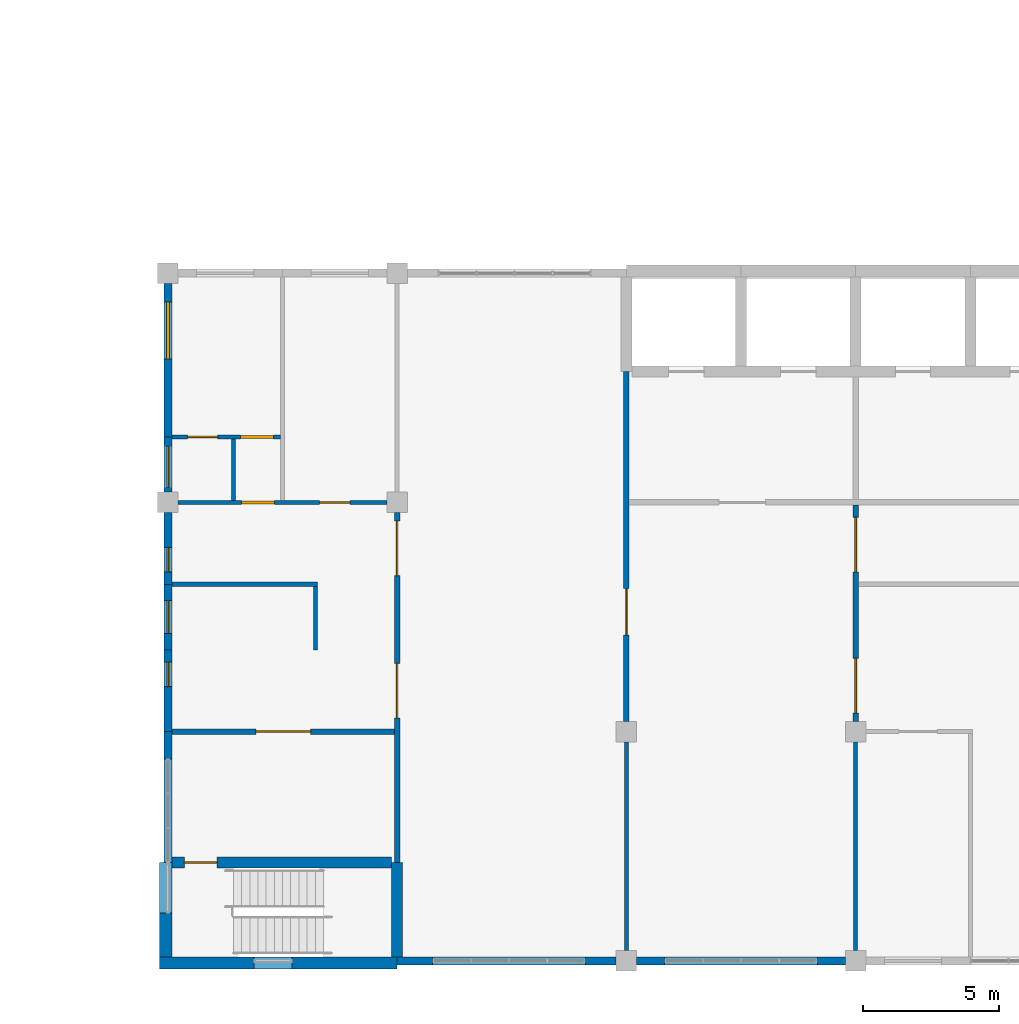
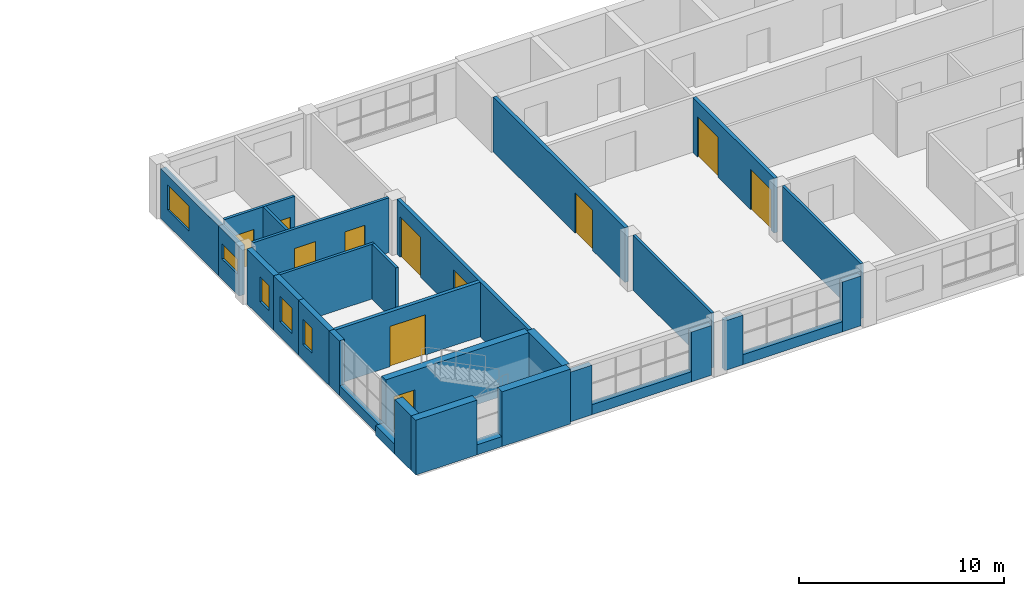
# One storey, part 29 of 45: 31 walls, 11 doors, 5 windows, 16 openings.
"""IFC4 building model written with IfcOpenShell, lengths in metres."""

from ifc_helpers import new_model, si_unit, direction, frame, frame_2d, origin, place, context, subcontext, project, spatial, rectangle, extrude, material, layer, layer_set, type_object, element, fill, save


model = new_model("IFC4")

# Units and contexts
model_context = context("Model", 3, precision=1e-05, world=origin(), true_north=direction((0.0, 1.0)))
body_context = subcontext(model_context, "Body", "Model", "MODEL_VIEW")
ifc_project = project(units=[si_unit("LENGTHUNIT", "METRE"), si_unit("AREAUNIT", "SQUARE_METRE"), si_unit("VOLUMEUNIT", "CUBIC_METRE"), si_unit("PLANEANGLEUNIT", "RADIAN"), si_unit("MASSUNIT", "GRAM", prefix="KILO")], contexts=[model_context])

# Site, building, storey
site_placement = place(None, origin())
site = spatial("IfcSite", under=ifc_project, at=site_placement, CompositionType="ELEMENT")
building_placement = place(site_placement, origin())
building = spatial("IfcBuilding", under=site, at=building_placement, Name="Yavir Park General Hospital", CompositionType="ELEMENT")
storey_placement = place(building_placement, frame((0.0, 0.0, 22.5)))
storey = spatial("IfcBuildingStorey", under=building, at=storey_placement, Name="L05", CompositionType="ELEMENT", Elevation=22.5)

# Wall, opening, door
ifc_material_1 = material(Name="Double gypsum board fire partition on steel studs", Category="steel")
ifc_layer_1 = layer(ifc_material_1, 0.199951171875)
ifc_layer_set_1 = layer_set([ifc_layer_1], Name="Double gypsum board fire partition on steel studs")
wall_type_1 = type_object("IfcWallType", Name="Fire-rated partition 200, EI 60", PredefinedType="PARTITIONING", material=ifc_layer_set_1)
wall_1_placement = place(storey_placement, frame((100.949951171875, 8.39990234375, 0.0), z_axis=(0.0, 0.0, 1.0), x_axis=(1.0, 0.0, 0.0)))
wall_1 = element("IfcWall", 1, at=wall_1_placement, inside=storey, type_object=wall_type_1, Name="FP20 L05-015", PredefinedType="PARTITIONING", context=body_context, shape_type="SweptSolid", body=[
    extrude(rectangle(XDim=8.150146484375, YDim=0.199951171875, at=frame_2d((4.0751953125, 0.0))), origin(), (0.0, 0.0, 1.0), 3.260009765625),
])
opening_1_placement = place(wall_1_placement, frame((3.074951171875, 0.0, 0.0)))
opening_1 = element("IfcOpeningElement", 2, at=opening_1_placement, cuts=wall_1, Name="Opening L05.D019", PredefinedType="OPENING", context=body_context, shape_type="SweptSolid", body=[
    extrude(rectangle(XDim=2.0, YDim=2.39990234375, at=frame_2d((1.0, 1.199951171875))), frame((0.0, 0.10986328125, 0.0), z_axis=(0.0, -1.0, 0.0), x_axis=(1.0, 0.0, 0.0)), (0.0, 0.0, 1.0), 0.219970703125),
])
ifc_material_2 = material(Name="Steel frame, fire-resisting leaves with vision panels", Category="steel")
door_type_1 = type_object("IfcDoorType", Name="Double fire door with vision panels 2000 x 2400, EI 60", OperationType="DOUBLE_DOOR_SINGLE_SWING", PredefinedType="DOOR", material=ifc_material_2)
door_1_placement = place(opening_1_placement, origin())
door_1 = element("IfcDoor", 3, at=door_1_placement, inside=storey, type_object=door_type_1, Name="L05.D019", OperationType="SINGLE_SWING_LEFT", OverallHeight=2.39990234375, OverallWidth=2.0, PredefinedType="DOOR", context=body_context, shape_type="SweptSolid", body=[
    extrude(rectangle(XDim=2.0, YDim=2.39990234375, at=frame_2d((1.0, 1.199951171875))), frame((0.0, 0.030029296875, 0.0), z_axis=(0.0, -1.0, 0.0), x_axis=(1.0, 0.0, 0.0)), (0.0, 0.0, 1.0), 0.06005859375),
])
fill(opening_1, door_1)

# Wall, openings, doors
wall_2_placement = place(storey_placement, frame((109.199951171875, 3.60009765625, 0.0), z_axis=(0.0, 0.0, 1.0), x_axis=(0.0, 1.0, 0.0)))
wall_2 = element("IfcWall", 4, at=wall_2_placement, inside=storey, type_object=wall_type_1, Name="FP20 L05-227", PredefinedType="PARTITIONING", context=body_context, shape_type="SweptSolid", body=[
    extrude(rectangle(XDim=12.824951171875, YDim=0.199951171875, at=frame_2d((6.41259765625, 0.0))), origin(), (0.0, 0.0, 1.0), 3.260009765625),
])
opening_2_placement = place(wall_2_placement, frame((5.300048828125, 0.0, 0.0)))
opening_2 = element("IfcOpeningElement", 5, at=opening_2_placement, cuts=wall_2, Name="Opening L05.D145", PredefinedType="OPENING", context=body_context, shape_type="SweptSolid", body=[
    extrude(rectangle(XDim=2.0, YDim=2.39990234375, at=frame_2d((1.0, 1.199951171875))), frame((0.0, 0.10986328125, 0.0), z_axis=(0.0, -1.0, 0.0), x_axis=(1.0, 0.0, 0.0)), (0.0, 0.0, 1.0), 0.219970703125),
])
opening_3_placement = place(wall_2_placement, frame((10.512451171875, 0.0, 0.0)))
opening_3 = element("IfcOpeningElement", 6, at=opening_3_placement, cuts=wall_2, Name="Opening L05.D146", PredefinedType="OPENING", context=body_context, shape_type="SweptSolid", body=[
    extrude(rectangle(XDim=2.0, YDim=2.39990234375, at=frame_2d((1.0, 1.199951171875))), frame((0.0, 0.10986328125, 0.0), z_axis=(0.0, -1.0, 0.0), x_axis=(1.0, 0.0, 0.0)), (0.0, 0.0, 1.0), 0.219970703125),
])
door_2_placement = place(opening_2_placement, origin())
door_2 = element("IfcDoor", 7, at=door_2_placement, inside=storey, type_object=door_type_1, Name="L05.D145", OperationType="SINGLE_SWING_RIGHT", OverallHeight=2.39990234375, OverallWidth=2.0, PredefinedType="DOOR", context=body_context, shape_type="SweptSolid", body=[
    extrude(rectangle(XDim=2.0, YDim=2.39990234375, at=frame_2d((1.0, 1.199951171875))), frame((0.0, 0.030029296875, 0.0), z_axis=(0.0, -1.0, 0.0), x_axis=(1.0, 0.0, 0.0)), (0.0, 0.0, 1.0), 0.06005859375),
])
fill(opening_2, door_2)
door_3_placement = place(opening_3_placement, origin())
door_3 = element("IfcDoor", 8, at=door_3_placement, inside=storey, type_object=door_type_1, Name="L05.D146", OperationType="SINGLE_SWING_RIGHT", OverallHeight=2.39990234375, OverallWidth=2.0, PredefinedType="DOOR", context=body_context, shape_type="SweptSolid", body=[
    extrude(rectangle(XDim=2.0, YDim=2.39990234375, at=frame_2d((1.0, 1.199951171875))), frame((0.0, 0.030029296875, 0.0), z_axis=(0.0, -1.0, 0.0), x_axis=(1.0, 0.0, 0.0)), (0.0, 0.0, 1.0), 0.06005859375),
])
fill(opening_3, door_3)

# Wall, opening, door
wall_3_placement = place(storey_placement, frame((117.60009765625, 8.77490234375, 0.0), z_axis=(0.0, 0.0, 1.0), x_axis=(0.0, 1.0, 0.0)))
wall_3 = element("IfcWall", 9, at=wall_3_placement, inside=storey, type_object=wall_type_1, Name="FP20 L05-230", PredefinedType="PARTITIONING", context=body_context, shape_type="SweptSolid", body=[
    extrude(rectangle(XDim=12.8251953125, YDim=0.199951171875, at=frame_2d((6.41259765625, 0.0))), origin(), (0.0, 0.0, 1.0), 3.260009765625),
])
opening_4_placement = place(wall_3_placement, frame((3.16259765625, 0.0, 0.0)))
opening_4 = element("IfcOpeningElement", 10, at=opening_4_placement, cuts=wall_3, Name="Opening L05.D147", PredefinedType="OPENING", context=body_context, shape_type="SweptSolid", body=[
    extrude(rectangle(XDim=1.699951171875, YDim=2.39990234375, at=frame_2d((0.85009765625, 1.199951171875))), frame((0.0, 0.10986328125, 0.0), z_axis=(0.0, -1.0, 0.0), x_axis=(1.0, 0.0, 0.0)), (0.0, 0.0, 1.0), 0.219970703125),
])
ifc_material_3 = material(Name="Steel frame, fire-resisting timber leaves", Category="steel")
door_type_2 = type_object("IfcDoorType", Name="Double fire door 1700 x 2400, EI 60", OperationType="DOUBLE_DOOR_SINGLE_SWING", PredefinedType="DOOR", material=ifc_material_3)
door_4_placement = place(opening_4_placement, origin())
door_4 = element("IfcDoor", 11, at=door_4_placement, inside=storey, type_object=door_type_2, Name="L05.D147", OperationType="SINGLE_SWING_RIGHT", OverallHeight=2.39990234375, OverallWidth=1.699951171875, PredefinedType="DOOR", context=body_context, shape_type="SweptSolid", body=[
    extrude(rectangle(XDim=1.699951171875, YDim=2.39990234375, at=frame_2d((0.85009765625, 1.199951171875))), frame((0.0, 0.02490234375, 0.0), z_axis=(0.0, -1.0, 0.0), x_axis=(1.0, 0.0, 0.0)), (0.0, 0.0, 1.0), 0.050048828125),
])
fill(opening_4, door_4)

# Wall, openings, doors
wall_4_placement = place(storey_placement, frame((126.0, 8.77490234375, 0.0), z_axis=(0.0, 0.0, 1.0), x_axis=(0.0, 1.0, 0.0)))
wall_4 = element("IfcWall", 12, at=wall_4_placement, inside=storey, type_object=wall_type_1, Name="FP20 L05-234", PredefinedType="PARTITIONING", context=body_context, shape_type="SweptSolid", body=[
    extrude(rectangle(XDim=7.925048828125, YDim=0.199951171875, at=frame_2d((3.96240234375, 0.0))), origin(), (0.0, 0.0, 1.0), 3.260009765625),
])
opening_5_placement = place(wall_4_placement, frame((0.3125, 0.0, 0.0)))
opening_5 = element("IfcOpeningElement", 13, at=opening_5_placement, cuts=wall_4, Name="Opening L05.D148", PredefinedType="OPENING", context=body_context, shape_type="SweptSolid", body=[
    extrude(rectangle(XDim=2.0, YDim=2.39990234375, at=frame_2d((1.0, 1.199951171875))), frame((0.0, 0.10986328125, 0.0), z_axis=(0.0, -1.0, 0.0), x_axis=(1.0, 0.0, 0.0)), (0.0, 0.0, 1.0), 0.219970703125),
])
opening_6_placement = place(wall_4_placement, frame((5.47509765625, 0.0, 0.0)))
opening_6 = element("IfcOpeningElement", 14, at=opening_6_placement, cuts=wall_4, Name="Opening L05.D149", PredefinedType="OPENING", context=body_context, shape_type="SweptSolid", body=[
    extrude(rectangle(XDim=2.0, YDim=2.39990234375, at=frame_2d((1.0, 1.199951171875))), frame((0.0, 0.10986328125, 0.0), z_axis=(0.0, -1.0, 0.0), x_axis=(1.0, 0.0, 0.0)), (0.0, 0.0, 1.0), 0.219970703125),
])
door_5_placement = place(opening_5_placement, origin())
door_5 = element("IfcDoor", 15, at=door_5_placement, inside=storey, type_object=door_type_1, Name="L05.D148", OperationType="SINGLE_SWING_LEFT", OverallHeight=2.39990234375, OverallWidth=2.0, PredefinedType="DOOR", context=body_context, shape_type="SweptSolid", body=[
    extrude(rectangle(XDim=2.0, YDim=2.39990234375, at=frame_2d((1.0, 1.199951171875))), frame((0.0, 0.030029296875, 0.0), z_axis=(0.0, -1.0, 0.0), x_axis=(1.0, 0.0, 0.0)), (0.0, 0.0, 1.0), 0.06005859375),
])
fill(opening_5, door_5)
door_6_placement = place(opening_6_placement, origin())
door_6 = element("IfcDoor", 16, at=door_6_placement, inside=storey, type_object=door_type_1, Name="L05.D149", OperationType="SINGLE_SWING_LEFT", OverallHeight=2.39990234375, OverallWidth=2.0, PredefinedType="DOOR", context=body_context, shape_type="SweptSolid", body=[
    extrude(rectangle(XDim=2.0, YDim=2.39990234375, at=frame_2d((1.0, 1.199951171875))), frame((0.0, 0.030029296875, 0.0), z_axis=(0.0, -1.0, 0.0), x_axis=(1.0, 0.0, 0.0)), (0.0, 0.0, 1.0), 0.06005859375),
])
fill(opening_6, door_6)

# Wall
ifc_material_4 = material(Name="Gypsum board partition on steel studs", Category="steel")
ifc_layer_2 = layer(ifc_material_4, 0.14990234375)
ifc_layer_set_2 = layer_set([ifc_layer_2], Name="Gypsum board partition on steel studs")
wall_type_2 = type_object("IfcWallType", Name="Gypsum board partition 150", PredefinedType="PARTITIONING", material=ifc_layer_set_2)
wall_5_placement = place(storey_placement, frame((100.949951171875, 13.800048828125, 0.0), z_axis=(0.0, 0.0, 1.0), x_axis=(1.0, 0.0, 0.0)))
element("IfcWall", 17, at=wall_5_placement, inside=storey, type_object=wall_type_2, Name="P15 L05-028", PredefinedType="PARTITIONING", context=body_context, shape_type="SweptSolid", body=[
    extrude(rectangle(XDim=5.324951171875, YDim=0.14990234375, at=frame_2d((2.66259765625, 0.0))), origin(), (0.0, 0.0, 1.0), 3.260009765625),
])

# Wall, openings, doors
wall_6_placement = place(storey_placement, frame((101.175048828125, 16.800048828125, 0.0), z_axis=(0.0, 0.0, 1.0), x_axis=(1.0, 0.0, 0.0)))
wall_6 = element("IfcWall", 18, at=wall_6_placement, inside=storey, type_object=wall_type_2, Name="P15 L05-036", PredefinedType="PARTITIONING", context=body_context, shape_type="SweptSolid", body=[
    extrude(rectangle(XDim=7.64990234375, YDim=0.14990234375, at=frame_2d((3.824951171875, 0.0))), origin(), (0.0, 0.0, 1.0), 3.260009765625),
])
opening_7_placement = place(wall_6_placement, frame((2.324951171875, 0.0, 0.0)))
opening_7 = element("IfcOpeningElement", 19, at=opening_7_placement, cuts=wall_6, Name="Opening L05.D038", PredefinedType="OPENING", context=body_context, shape_type="SweptSolid", body=[
    extrude(rectangle(XDim=1.199951171875, YDim=2.10009765625, at=frame_2d((0.60009765625, 1.050048828125))), frame((0.0, 0.0849609375, 0.0), z_axis=(0.0, -1.0, 0.0), x_axis=(1.0, 0.0, 0.0)), (0.0, 0.0, 1.0), 0.169921875),
])
opening_8_placement = place(wall_6_placement, frame((5.1875, 0.0, 0.0)))
opening_8 = element("IfcOpeningElement", 20, at=opening_8_placement, cuts=wall_6, Name="Opening L05.D039", PredefinedType="OPENING", context=body_context, shape_type="SweptSolid", body=[
    extrude(rectangle(XDim=1.10009765625, YDim=2.10009765625, at=frame_2d((0.550048828125, 1.050048828125))), frame((0.0, 0.0849609375, 0.0), z_axis=(0.0, -1.0, 0.0), x_axis=(1.0, 0.0, 0.0)), (0.0, 0.0, 1.0), 0.169921875),
])
ifc_material_5 = material(Name="Sealed steel door leaf, compression seals", Category="steel")
door_type_3 = type_object("IfcDoorType", Name="Isolation airlock door 1200 x 2100", OperationType="SINGLE_SWING_LEFT", PredefinedType="DOOR", material=ifc_material_5)
door_7_placement = place(opening_7_placement, origin())
door_7 = element("IfcDoor", 21, at=door_7_placement, inside=storey, type_object=door_type_3, Name="L05.D038", OperationType="SINGLE_SWING_RIGHT", OverallHeight=2.10009765625, OverallWidth=1.199951171875, PredefinedType="DOOR", context=body_context, shape_type="SweptSolid", body=[
    extrude(rectangle(XDim=1.199951171875, YDim=2.10009765625, at=frame_2d((0.60009765625, 1.050048828125))), frame((0.0, 0.050048828125, 0.0), z_axis=(0.0, -1.0, 0.0), x_axis=(1.0, 0.0, 0.0)), (0.0, 0.0, 1.0), 0.10009765625),
])
fill(opening_7, door_7)
ifc_material_6 = material(Name="Hollow metal frame, solid-core timber leaf", Category="wood")
door_type_4 = type_object("IfcDoorType", Name="Single swing door 1100 x 2100", OperationType="SINGLE_SWING_LEFT", PredefinedType="DOOR", material=ifc_material_6)
door_8_placement = place(opening_8_placement, origin())
door_8 = element("IfcDoor", 22, at=door_8_placement, inside=storey, type_object=door_type_4, Name="L05.D039", OperationType="SINGLE_SWING_RIGHT", OverallHeight=2.10009765625, OverallWidth=1.10009765625, PredefinedType="DOOR", context=body_context, shape_type="SweptSolid", body=[
    extrude(rectangle(XDim=1.10009765625, YDim=2.10009765625, at=frame_2d((0.550048828125, 1.050048828125))), frame((0.0, 0.02490234375, 0.0), z_axis=(0.0, -1.0, 0.0), x_axis=(1.0, 0.0, 0.0)), (0.0, 0.0, 1.0), 0.050048828125),
])
fill(opening_8, door_8)

wall_7_placement = place(storey_placement, frame((100.949951171875, 19.199951171875, 0.0), z_axis=(0.0, 0.0, 1.0), x_axis=(1.0, 0.0, 0.0)))
wall_7 = element("IfcWall", 23, at=wall_7_placement, inside=storey, type_object=wall_type_2, Name="P15 L05-044", PredefinedType="PARTITIONING", context=body_context, shape_type="SweptSolid", body=[
    extrude(rectangle(XDim=3.97509765625, YDim=0.14990234375, at=frame_2d((1.987548828125, 0.0))), origin(), (0.0, 0.0, 1.0), 3.260009765625),
])
opening_9_placement = place(wall_7_placement, frame((0.574951171875, 0.0, 0.0)))
opening_9 = element("IfcOpeningElement", 24, at=opening_9_placement, cuts=wall_7, Name="Opening L05.D048", PredefinedType="OPENING", context=body_context, shape_type="SweptSolid", body=[
    extrude(rectangle(XDim=1.10009765625, YDim=2.10009765625, at=frame_2d((0.550048828125, 1.050048828125))), frame((0.0, 0.0849609375, 0.0), z_axis=(0.0, -1.0, 0.0), x_axis=(1.0, 0.0, 0.0)), (0.0, 0.0, 1.0), 0.169921875),
])
opening_10_placement = place(wall_7_placement, frame((2.512451171875, 0.0, 0.0)))
opening_10 = element("IfcOpeningElement", 25, at=opening_10_placement, cuts=wall_7, Name="Opening L05.D049", PredefinedType="OPENING", context=body_context, shape_type="SweptSolid", body=[
    extrude(rectangle(XDim=1.199951171875, YDim=2.10009765625, at=frame_2d((0.60009765625, 1.050048828125))), frame((0.0, 0.0849609375, 0.0), z_axis=(0.0, -1.0, 0.0), x_axis=(1.0, 0.0, 0.0)), (0.0, 0.0, 1.0), 0.169921875),
])
door_9_placement = place(opening_10_placement, origin())
door_9 = element("IfcDoor", 26, at=door_9_placement, inside=storey, type_object=door_type_3, Name="L05.D049", OperationType="SINGLE_SWING_LEFT", OverallHeight=2.10009765625, OverallWidth=1.199951171875, PredefinedType="DOOR", context=body_context, shape_type="SweptSolid", body=[
    extrude(rectangle(XDim=1.199951171875, YDim=2.10009765625, at=frame_2d((0.60009765625, 1.050048828125))), frame((0.0, 0.050048828125, 0.0), z_axis=(0.0, -1.0, 0.0), x_axis=(1.0, 0.0, 0.0)), (0.0, 0.0, 1.0), 0.10009765625),
])
fill(opening_10, door_9)
door_10_placement = place(opening_9_placement, origin())
door_10 = element("IfcDoor", 27, at=door_10_placement, inside=storey, type_object=door_type_4, Name="L05.D048", OperationType="SINGLE_SWING_RIGHT", OverallHeight=2.10009765625, OverallWidth=1.10009765625, PredefinedType="DOOR", context=body_context, shape_type="SweptSolid", body=[
    extrude(rectangle(XDim=1.10009765625, YDim=2.10009765625, at=frame_2d((0.550048828125, 1.050048828125))), frame((0.0, 0.02490234375, 0.0), z_axis=(0.0, -1.0, 0.0), x_axis=(1.0, 0.0, 0.0)), (0.0, 0.0, 1.0), 0.050048828125),
])
fill(opening_9, door_10)

# Walls
wall_8_placement = place(storey_placement, frame((103.199951171875, 16.875, 0.0), z_axis=(0.0, 0.0, 1.0), x_axis=(0.0, 1.0, 0.0)))
element("IfcWall", 28, at=wall_8_placement, inside=storey, type_object=wall_type_2, Name="P15 L05-223", PredefinedType="PARTITIONING", context=body_context, shape_type="SweptSolid", body=[
    extrude(rectangle(XDim=2.25, YDim=0.14990234375, at=frame_2d((1.125, 0.0))), origin(), (0.0, 0.0, 1.0), 3.260009765625),
])
wall_9_placement = place(storey_placement, frame((106.199951171875, 11.39990234375, 0.0), z_axis=(0.0, 0.0, 1.0), x_axis=(0.0, 1.0, 0.0)))
element("IfcWall", 29, at=wall_9_placement, inside=storey, type_object=wall_type_2, Name="P15 L05-225", PredefinedType="PARTITIONING", context=body_context, shape_type="SweptSolid", body=[
    extrude(rectangle(XDim=2.3251953125, YDim=0.14990234375, at=frame_2d((1.16259765625, 0.0))), origin(), (0.0, 0.0, 1.0), 3.260009765625),
])
for number, where, z_axis, x_axis, name in (
    (30, (117.60009765625, 0.375, 0.0), (0.0, 0.0, 1.0), (0.0, 1.0, 0.0), "P15 L05-229"),
    (31, (126.0, 0.375, 0.0), (0.0, 0.0, 1.0), (0.0, 1.0, 0.0), "P15 L05-233"),
):
    element("IfcWall", number, at=place(storey_placement, frame(where, z_axis=z_axis, x_axis=x_axis)), inside=storey, type_object=wall_type_2, Name=name, PredefinedType="PARTITIONING", context=body_context, shape_type="SweptSolid", body=[
        extrude(rectangle(XDim=7.64990234375, YDim=0.14990234375, at=frame_2d((3.824951171875, 0.0))), origin(), (0.0, 0.0, 1.0), 3.260009765625),
    ])
ifc_material_7 = material(Name="Autoclaved aerated block, mineral wool and ochre mineral render")
ifc_layer_3 = layer(ifc_material_7, 0.300048828125)
ifc_layer_set_3 = layer_set([ifc_layer_3], Name="Autoclaved aerated block, mineral wool and ochre mineral render")
wall_type_3 = type_object("IfcWallType", Name="Ochre render ward wall 300, E 30", PredefinedType="SOLIDWALL", material=ifc_layer_set_3)
wall_10_placement = place(storey_placement, frame((109.199951171875, 0.0, 0.0), z_axis=(0.0, 0.0, 1.0), x_axis=(1.0, 0.0, 0.0)))
element("IfcWall", 32, at=wall_10_placement, inside=storey, type_object=wall_type_3, Name="XW7 L05-016", PredefinedType="SOLIDWALL", context=body_context, shape_type="SweptSolid", body=[
    extrude(rectangle(XDim=1.300048828125, YDim=0.300048828125, at=frame_2d((0.64990234375, 0.0))), origin(), (0.0, 0.0, 1.0), 2.9599609375),
])
wall_11_placement = place(storey_placement, frame((116.10009765625, 0.0, 0.0), z_axis=(0.0, 0.0, 1.0), x_axis=(1.0, 0.0, 0.0)))
element("IfcWall", 33, at=wall_11_placement, inside=storey, type_object=wall_type_3, Name="XW7 L05-017", PredefinedType="SOLIDWALL", context=body_context, shape_type="SweptSolid", body=[
    extrude(rectangle(XDim=1.125, YDim=0.300048828125, at=frame_2d((0.5625, 0.0))), origin(), (0.0, 0.0, 1.0), 2.9599609375),
])
wall_12_placement = place(storey_placement, frame((110.5, 0.0, 0.0), z_axis=(0.0, 0.0, 1.0), x_axis=(1.0, 0.0, 0.0)))
element("IfcWall", 34, at=wall_12_placement, inside=storey, type_object=wall_type_3, Name="XW7 L05-018", PredefinedType="SOLIDWALL", context=body_context, shape_type="SweptSolid", body=[
    extrude(rectangle(XDim=5.60009765625, YDim=0.300048828125, at=frame_2d((2.800048828125, 0.0))), origin(), (0.0, 0.0, 1.0), 0.60009765625),
])
for number, where, z_axis, x_axis, name in (
    (35, (117.97509765625, 0.0, 0.0), (0.0, 0.0, 1.0), (1.0, 0.0, 0.0), "XW7 L05-019"),
    (36, (124.60009765625, 0.0, 0.0), (0.0, 0.0, 1.0), (1.0, 0.0, 0.0), "XW7 L05-020"),
):
    element("IfcWall", number, at=place(storey_placement, frame(where, z_axis=z_axis, x_axis=x_axis)), inside=storey, type_object=wall_type_3, Name=name, PredefinedType="SOLIDWALL", context=body_context, shape_type="SweptSolid", body=[
        extrude(rectangle(XDim=1.02490234375, YDim=0.300048828125, at=frame_2d((0.512451171875, 0.0))), origin(), (0.0, 0.0, 1.0), 2.9599609375),
    ])
wall_13_placement = place(storey_placement, frame((119.0, 0.0, 0.0), z_axis=(0.0, 0.0, 1.0), x_axis=(1.0, 0.0, 0.0)))
element("IfcWall", 37, at=wall_13_placement, inside=storey, type_object=wall_type_3, Name="XW7 L05-021", PredefinedType="SOLIDWALL", context=body_context, shape_type="SweptSolid", body=[
    extrude(rectangle(XDim=5.60009765625, YDim=0.300048828125, at=frame_2d((2.800048828125, 0.0))), origin(), (0.0, 0.0, 1.0), 0.60009765625),
])
wall_14_placement = place(storey_placement, frame((100.800048828125, 7.39990234375, 0.0), z_axis=(0.0, 0.0, 1.0), x_axis=(0.0, 1.0, 0.0)))
element("IfcWall", 38, at=wall_14_placement, inside=storey, type_object=wall_type_3, Name="XW7 L05-138", PredefinedType="SOLIDWALL", context=body_context, shape_type="SweptSolid", body=[
    extrude(rectangle(XDim=1.0, YDim=0.300048828125, at=frame_2d((0.5, 0.0))), origin(), (0.0, 0.0, 1.0), 3.260009765625),
])
wall_15_placement = place(storey_placement, frame((100.800048828125, 3.60009765625, 0.0), z_axis=(0.0, 0.0, 1.0), x_axis=(0.0, 1.0, 0.0)))
element("IfcWall", 39, at=wall_15_placement, inside=storey, type_object=wall_type_3, Name="XW7 L05-139", PredefinedType="SOLIDWALL", context=body_context, shape_type="SweptSolid", body=[
    extrude(rectangle(XDim=3.7998046875, YDim=0.300048828125, at=frame_2d((1.89990234375, 0.0))), origin(), (0.0, 0.0, 1.0), 0.60009765625),
])

# Wall, opening, window
wall_16_placement = place(storey_placement, frame((100.800048828125, 8.39990234375, 0.0), z_axis=(0.0, 0.0, 1.0), x_axis=(0.0, 1.0, 0.0)))
wall_16 = element("IfcWall", 40, at=wall_16_placement, inside=storey, type_object=wall_type_3, Name="XW7 L05-140", PredefinedType="SOLIDWALL", context=body_context, shape_type="SweptSolid", body=[
    extrude(rectangle(XDim=3.0, YDim=0.300048828125, at=frame_2d((1.5, 0.0))), origin(), (0.0, 0.0, 1.0), 3.260009765625),
])
opening_11_placement = place(wall_16_placement, frame((1.64990234375, 0.0, 0.89990234375)))
opening_11 = element("IfcOpeningElement", 41, at=opening_11_placement, cuts=wall_16, Name="Opening WH", PredefinedType="OPENING", context=body_context, shape_type="SweptSolid", body=[
    extrude(rectangle(XDim=0.89990234375, YDim=1.5, at=frame_2d((0.449951171875, 0.75))), frame((0.0, 0.159912109375, 0.0), z_axis=(0.0, -1.0, 0.0), x_axis=(1.0, 0.0, 0.0)), (0.0, 0.0, 1.0), 0.320068359375),
])
ifc_material_8 = material(Name="Aluminium frame, double glazed unit", Category="aluminium")
window_type_1 = type_object("IfcWindowType", Name="Narrow window 900 x 1500", PartitioningType="SINGLE_PANEL", PredefinedType="WINDOW", material=ifc_material_8)
window_1_placement = place(opening_11_placement, origin())
window_1 = element("IfcWindow", 42, at=window_1_placement, inside=storey, type_object=window_type_1, Name="WH L05-059", OverallHeight=1.5, OverallWidth=0.89990234375, PartitioningType="SINGLE_PANEL", PredefinedType="WINDOW", context=body_context, shape_type="SweptSolid", body=[
    extrude(rectangle(XDim=0.89990234375, YDim=1.5, at=frame_2d((0.449951171875, 0.75))), frame((0.0, 0.030029296875, 0.0), z_axis=(0.0, -1.0, 0.0), x_axis=(1.0, 0.0, 0.0)), (0.0, 0.0, 1.0), 0.06005859375),
])
fill(opening_11, window_1)

wall_17_placement = place(storey_placement, frame((100.800048828125, 11.39990234375, 0.0), z_axis=(0.0, 0.0, 1.0), x_axis=(0.0, 1.0, 0.0)))
wall_17 = element("IfcWall", 43, at=wall_17_placement, inside=storey, type_object=wall_type_3, Name="XW7 L05-141", PredefinedType="SOLIDWALL", context=body_context, shape_type="SweptSolid", body=[
    extrude(rectangle(XDim=2.400146484375, YDim=0.300048828125, at=frame_2d((1.2001953125, 0.0))), origin(), (0.0, 0.0, 1.0), 3.260009765625),
])
opening_12_placement = place(wall_17_placement, frame((0.60009765625, 0.0, 0.89990234375)))
opening_12 = element("IfcOpeningElement", 44, at=opening_12_placement, cuts=wall_17, Name="Opening WD", PredefinedType="OPENING", context=body_context, shape_type="SweptSolid", body=[
    extrude(rectangle(XDim=1.199951171875, YDim=1.5, at=frame_2d((0.60009765625, 0.75))), frame((0.0, 0.159912109375, 0.0), z_axis=(0.0, -1.0, 0.0), x_axis=(1.0, 0.0, 0.0)), (0.0, 0.0, 1.0), 0.320068359375),
])
ifc_material_9 = material(Name="Aluminium frame, double glazed unit", Category="aluminium")
window_type_2 = type_object("IfcWindowType", Name="Office window 1200 x 1500", PartitioningType="SINGLE_PANEL", PredefinedType="WINDOW", material=ifc_material_9)
window_2_placement = place(opening_12_placement, origin())
window_2 = element("IfcWindow", 45, at=window_2_placement, inside=storey, type_object=window_type_2, Name="WD L05-060", OverallHeight=1.5, OverallWidth=1.199951171875, PartitioningType="SINGLE_PANEL", PredefinedType="WINDOW", context=body_context, shape_type="SweptSolid", body=[
    extrude(rectangle(XDim=1.199951171875, YDim=1.5, at=frame_2d((0.60009765625, 0.75))), frame((0.0, 0.030029296875, 0.0), z_axis=(0.0, -1.0, 0.0), x_axis=(1.0, 0.0, 0.0)), (0.0, 0.0, 1.0), 0.06005859375),
])
fill(opening_12, window_2)

wall_18_placement = place(storey_placement, frame((100.800048828125, 13.800048828125, 0.0), z_axis=(0.0, 0.0, 1.0), x_axis=(0.0, 1.0, 0.0)))
wall_18 = element("IfcWall", 46, at=wall_18_placement, inside=storey, type_object=wall_type_3, Name="XW7 L05-142", PredefinedType="SOLIDWALL", context=body_context, shape_type="SweptSolid", body=[
    extrude(rectangle(XDim=2.625, YDim=0.300048828125, at=frame_2d((1.3125, 0.0))), origin(), (0.0, 0.0, 1.0), 3.260009765625),
])
opening_13_placement = place(wall_18_placement, frame((0.449951171875, 0.0, 0.89990234375)))
opening_13 = element("IfcOpeningElement", 47, at=opening_13_placement, cuts=wall_18, Name="Opening WH", PredefinedType="OPENING", context=body_context, shape_type="SweptSolid", body=[
    extrude(rectangle(XDim=0.89990234375, YDim=1.5, at=frame_2d((0.449951171875, 0.75))), frame((0.0, 0.159912109375, 0.0), z_axis=(0.0, -1.0, 0.0), x_axis=(1.0, 0.0, 0.0)), (0.0, 0.0, 1.0), 0.320068359375),
])
window_3_placement = place(opening_13_placement, origin())
window_3 = element("IfcWindow", 48, at=window_3_placement, inside=storey, type_object=window_type_1, Name="WH L05-061", OverallHeight=1.5, OverallWidth=0.89990234375, PartitioningType="SINGLE_PANEL", PredefinedType="WINDOW", context=body_context, shape_type="SweptSolid", body=[
    extrude(rectangle(XDim=0.89990234375, YDim=1.5, at=frame_2d((0.449951171875, 0.75))), frame((0.0, 0.030029296875, 0.0), z_axis=(0.0, -1.0, 0.0), x_axis=(1.0, 0.0, 0.0)), (0.0, 0.0, 1.0), 0.06005859375),
])
fill(opening_13, window_3)

wall_19_placement = place(storey_placement, frame((100.800048828125, 17.175048828125, 0.0), z_axis=(0.0, 0.0, 1.0), x_axis=(0.0, 1.0, 0.0)))
wall_19 = element("IfcWall", 49, at=wall_19_placement, inside=storey, type_object=wall_type_3, Name="XW7 L05-143", PredefinedType="SOLIDWALL", context=body_context, shape_type="SweptSolid", body=[
    extrude(rectangle(XDim=2.02490234375, YDim=0.300048828125, at=frame_2d((1.012451171875, 0.0))), origin(), (0.0, 0.0, 1.0), 2.9599609375),
])
opening_14_placement = place(wall_19_placement, frame((0.175048828125, 0.0, 1.199951171875)))
opening_14 = element("IfcOpeningElement", 50, at=opening_14_placement, cuts=wall_19, Name="Opening WK3", PredefinedType="OPENING", context=body_context, shape_type="SweptSolid", body=[
    extrude(rectangle(XDim=1.5, YDim=0.89990234375, at=frame_2d((0.75, 0.449951171875))), frame((0.0, 0.159912109375, 0.0), z_axis=(0.0, -1.0, 0.0), x_axis=(1.0, 0.0, 0.0)), (0.0, 0.0, 1.0), 0.320068359375),
])
ifc_material_10 = material(Name="Aluminium frame, double glazed unit", Category="aluminium")
window_type_3 = type_object("IfcWindowType", Name="Kitchen service window 1500 x 900", PartitioningType="DOUBLE_PANEL_VERTICAL", PredefinedType="WINDOW", material=ifc_material_10)
window_4_placement = place(opening_14_placement, origin())
window_4 = element("IfcWindow", 51, at=window_4_placement, inside=storey, type_object=window_type_3, Name="WK3 L05-062", OverallHeight=0.89990234375, OverallWidth=1.5, PartitioningType="DOUBLE_PANEL_VERTICAL", PredefinedType="WINDOW", context=body_context, shape_type="SweptSolid", body=[
    extrude(rectangle(XDim=1.5, YDim=0.89990234375, at=frame_2d((0.75, 0.449951171875))), frame((0.0, 0.030029296875, 0.0), z_axis=(0.0, -1.0, 0.0), x_axis=(1.0, 0.0, 0.0)), (0.0, 0.0, 1.0), 0.06005859375),
])
fill(opening_14, window_4)

wall_20_placement = place(storey_placement, frame((100.800048828125, 19.199951171875, 0.0), z_axis=(0.0, 0.0, 1.0), x_axis=(0.0, 1.0, 0.0)))
wall_20 = element("IfcWall", 52, at=wall_20_placement, inside=storey, type_object=wall_type_3, Name="XW7 L05-144", PredefinedType="SOLIDWALL", context=body_context, shape_type="SweptSolid", body=[
    extrude(rectangle(XDim=5.625, YDim=0.300048828125, at=frame_2d((2.8125, 0.0))), origin(), (0.0, 0.0, 1.0), 2.9599609375),
])
opening_15_placement = place(wall_20_placement, frame((2.85009765625, 0.0, 0.89990234375)))
opening_15 = element("IfcOpeningElement", 53, at=opening_15_placement, cuts=wall_20, Name="Opening WAR", PredefinedType="OPENING", context=body_context, shape_type="SweptSolid", body=[
    extrude(rectangle(XDim=2.10009765625, YDim=1.5, at=frame_2d((1.050048828125, 0.75))), frame((0.0, 0.159912109375, 0.0), z_axis=(0.0, -1.0, 0.0), x_axis=(1.0, 0.0, 0.0)), (0.0, 0.0, 1.0), 0.320068359375),
])
ifc_material_11 = material(Name="Aluminium frame, tilt-and-turn sash with opening restrictor, double glazed unit", Category="aluminium")
window_type_4 = type_object("IfcWindowType", Name="Ward window, restricted opening 2100 x 1500", PartitioningType="DOUBLE_PANEL_VERTICAL", PredefinedType="WINDOW", material=ifc_material_11)
window_5_placement = place(opening_15_placement, origin())
window_5 = element("IfcWindow", 54, at=window_5_placement, inside=storey, type_object=window_type_4, Name="WAR L05-063", OverallHeight=1.5, OverallWidth=2.10009765625, PartitioningType="DOUBLE_PANEL_VERTICAL", PredefinedType="WINDOW", context=body_context, shape_type="SweptSolid", body=[
    extrude(rectangle(XDim=2.10009765625, YDim=1.5, at=frame_2d((1.050048828125, 0.75))), frame((0.0, 0.050048828125, 0.0), z_axis=(0.0, -1.0, 0.0), x_axis=(1.0, 0.0, 0.0)), (0.0, 0.0, 1.0), 0.10009765625),
])
fill(opening_15, window_5)

# Wall, opening, door
ifc_material_12 = material(Name="Concrete C35/45", Category="concrete")
ifc_layer_4 = layer(ifc_material_12, 0.39990234375)
ifc_layer_set_4 = layer_set([ifc_layer_4], Name="Concrete C35/45")
wall_type_4 = type_object("IfcWallType", Name="Reinforced concrete core wall 400, REI 150", PredefinedType="SHEAR", material=ifc_layer_set_4)
wall_21_placement = place(storey_placement, frame((100.949951171875, 3.60009765625, 0.0), z_axis=(0.0, 0.0, 1.0), x_axis=(1.0, 0.0, 0.0)))
wall_21 = element("IfcWall", 55, at=wall_21_placement, inside=storey, type_object=wall_type_4, Name="CW40 L05-002", PredefinedType="SHEAR", context=body_context, shape_type="SweptSolid", body=[
    extrude(rectangle(XDim=8.050048828125, YDim=0.39990234375, at=frame_2d((4.02490234375, 0.0))), origin(), (0.0, 0.0, 1.0), 3.260009765625),
])
opening_16_placement = place(wall_21_placement, frame((0.449951171875, 0.0, 0.0)))
opening_16 = element("IfcOpeningElement", 56, at=opening_16_placement, cuts=wall_21, Name="Opening L05.D002", PredefinedType="OPENING", context=body_context, shape_type="SweptSolid", body=[
    extrude(rectangle(XDim=1.199951171875, YDim=2.10009765625, at=frame_2d((0.60009765625, 1.050048828125))), frame((0.0, 0.2099609375, 0.0), z_axis=(0.0, -1.0, 0.0), x_axis=(1.0, 0.0, 0.0)), (0.0, 0.0, 1.0), 0.419921875),
])
ifc_material_13 = material(Name="Steel frame, fire-resisting timber leaf", Category="steel")
door_type_5 = type_object("IfcDoorType", Name="Fire door 1200 x 2100, EI 60", OperationType="SINGLE_SWING_LEFT", PredefinedType="DOOR", material=ifc_material_13)
door_11_placement = place(opening_16_placement, origin())
door_11 = element("IfcDoor", 57, at=door_11_placement, inside=storey, type_object=door_type_5, Name="L05.D002", OperationType="SINGLE_SWING_LEFT", OverallHeight=2.10009765625, OverallWidth=1.199951171875, PredefinedType="DOOR", context=body_context, shape_type="SweptSolid", body=[
    extrude(rectangle(XDim=1.199951171875, YDim=2.10009765625, at=frame_2d((0.60009765625, 1.050048828125))), frame((0.0, 0.02490234375, 0.0), z_axis=(0.0, -1.0, 0.0), x_axis=(1.0, 0.0, 0.0)), (0.0, 0.0, 1.0), 0.050048828125),
])
fill(opening_16, door_11)

# Walls
wall_22_placement = place(storey_placement, frame((109.199951171875, 0.14990234375, 0.0), z_axis=(0.0, 0.0, 1.0), x_axis=(0.0, 1.0, 0.0)))
element("IfcWall", 58, at=wall_22_placement, inside=storey, type_object=wall_type_4, Name="CW40 L05-226", PredefinedType="SHEAR", context=body_context, shape_type="SweptSolid", body=[
    extrude(rectangle(XDim=3.4501953125, YDim=0.39990234375, at=frame_2d((1.72509765625, 0.0))), origin(), (0.0, 0.0, 1.0), 3.260009765625),
])
ifc_material_14 = material(Name="Concrete C30/37 precast panel with 150 mm mineral wool insulation", Category="concrete")
ifc_layer_5 = layer(ifc_material_14, 0.449951171875)
ifc_layer_set_5 = layer_set([ifc_layer_5], Name="Concrete C30/37 precast panel with 150 mm mineral wool insulation")
wall_type_5 = type_object("IfcWallType", Name="Stair enclosure wall 450, REI 150", PredefinedType="SOLIDWALL", material=ifc_layer_set_5)
wall_23_placement = place(storey_placement, frame((100.5, -0.074951171875, 0.0), z_axis=(0.0, 0.0, 1.0), x_axis=(1.0, 0.0, 0.0)))
element("IfcWall", 59, at=wall_23_placement, inside=storey, type_object=wall_type_5, Name="XW6 L05-013", PredefinedType="SOLIDWALL", context=body_context, shape_type="SweptSolid", body=[
    extrude(rectangle(XDim=3.449951171875, YDim=0.449951171875, at=frame_2d((1.72509765625, 0.0))), origin(), (0.0, 0.0, 1.0), 3.260009765625),
])
wall_24_placement = place(storey_placement, frame((105.35009765625, -0.074951171875, 0.0), z_axis=(0.0, 0.0, 1.0), x_axis=(1.0, 0.0, 0.0)))
element("IfcWall", 60, at=wall_24_placement, inside=storey, type_object=wall_type_5, Name="XW6 L05-014", PredefinedType="SOLIDWALL", context=body_context, shape_type="SweptSolid", body=[
    extrude(rectangle(XDim=3.849853515625, YDim=0.449951171875, at=frame_2d((1.9248046875, 0.0))), origin(), (0.0, 0.0, 1.0), 3.260009765625),
])
wall_25_placement = place(storey_placement, frame((103.949951171875, -0.074951171875, 0.0), z_axis=(0.0, 0.0, 1.0), x_axis=(1.0, 0.0, 0.0)))
element("IfcWall", 61, at=wall_25_placement, inside=storey, type_object=wall_type_5, Name="XW6 L05-015", PredefinedType="SOLIDWALL", context=body_context, shape_type="SweptSolid", body=[
    extrude(rectangle(XDim=1.400146484375, YDim=0.449951171875, at=frame_2d((0.7001953125, 0.0))), origin(), (0.0, 0.0, 1.0), 0.60009765625),
])
wall_26_placement = place(storey_placement, frame((100.72509765625, 0.14990234375, 0.0), z_axis=(0.0, 0.0, 1.0), x_axis=(0.0, 1.0, 0.0)))
element("IfcWall", 62, at=wall_26_placement, inside=storey, type_object=wall_type_5, Name="XW6 L05-136", PredefinedType="SOLIDWALL", context=body_context, shape_type="SweptSolid", body=[
    extrude(rectangle(XDim=1.60009765625, YDim=0.449951171875, at=frame_2d((0.800048828125, 0.0))), origin(), (0.0, 0.0, 1.0), 3.260009765625),
])
wall_27_placement = place(storey_placement, frame((100.72509765625, 1.75, 0.0), z_axis=(0.0, 0.0, 1.0), x_axis=(0.0, 1.0, 0.0)))
element("IfcWall", 63, at=wall_27_placement, inside=storey, type_object=wall_type_5, Name="XW6 L05-137", PredefinedType="SOLIDWALL", context=body_context, shape_type="SweptSolid", body=[
    extrude(rectangle(XDim=1.85009765625, YDim=0.449951171875, at=frame_2d((0.925048828125, 0.0))), origin(), (0.0, 0.0, 1.0), 0.60009765625),
])

save(model, "model.ifc")
